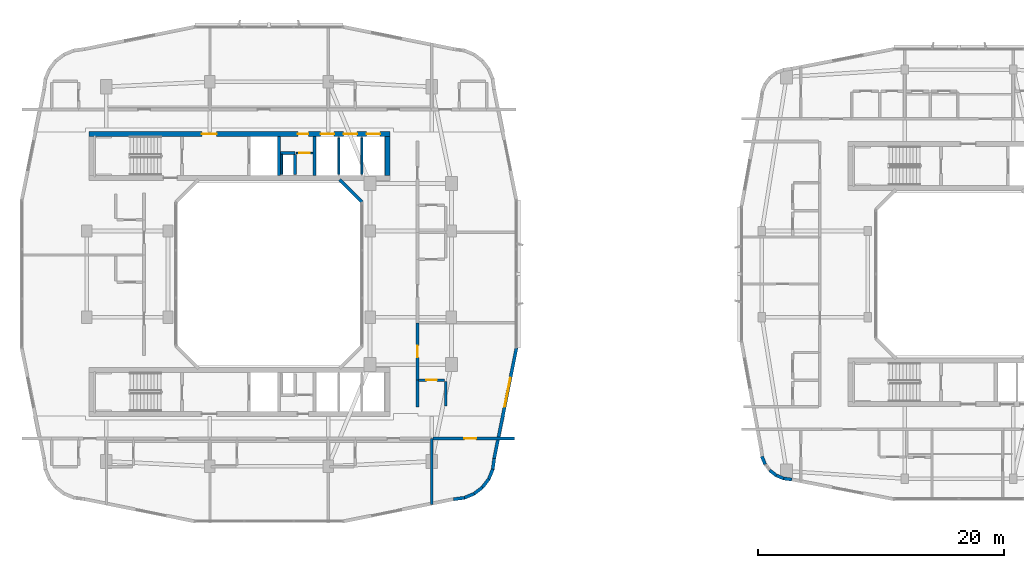
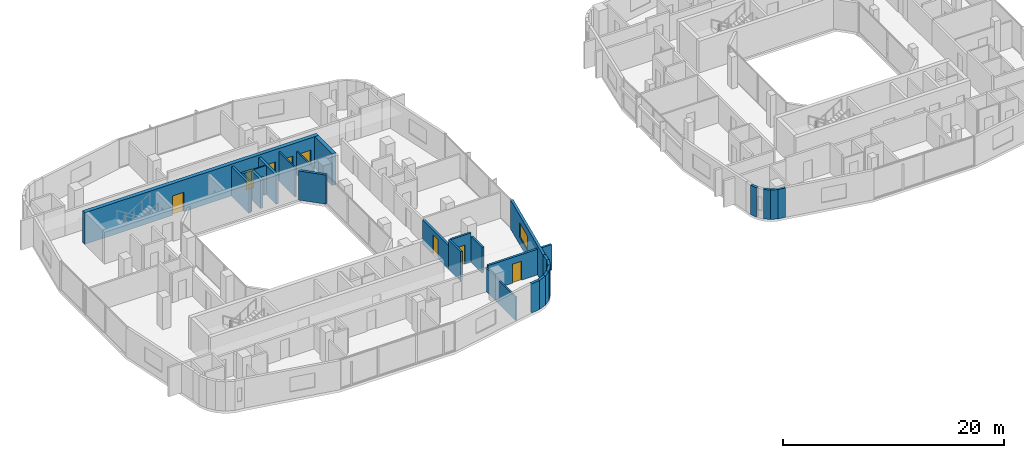
# One storey, part 14 of 26: 28 walls, 9 doors, 1 window, 10 openings.
"""IFC4 building model written with IfcOpenShell, lengths in metres."""

from ifc_helpers import new_model, si_unit, derived_unit, direction, frame, frame_2d, origin, place, context, subcontext, project, spatial, rectangle, extrude, material, layer, layer_set, type_object, element, fill, save


model = new_model("IFC4")

# Units and contexts
model_context = context("Model", 3, precision=1e-05, world=origin(), true_north=direction((0.0, 1.0)))
body_context = subcontext(model_context, "Body", "Model", "MODEL_VIEW")
ifc_project = project(units=[si_unit("LENGTHUNIT", "METRE"), si_unit("AREAUNIT", "SQUARE_METRE"), si_unit("VOLUMEUNIT", "CUBIC_METRE"), si_unit("PLANEANGLEUNIT", "RADIAN"), si_unit("MASSUNIT", "GRAM", prefix="KILO"), derived_unit("THERMALTRANSMITTANCEUNIT", [(si_unit("POWERUNIT", "WATT"), 1), (si_unit("LENGTHUNIT", "METRE"), -2), (si_unit("THERMODYNAMICTEMPERATUREUNIT", "KELVIN"), -1)])], contexts=[model_context])

# Site, building, storey
site_placement = place(None, origin())
site = spatial("IfcSite", under=ifc_project, at=site_placement, CompositionType="ELEMENT")
building_placement = place(site_placement, origin())
building = spatial("IfcBuilding", under=site, at=building_placement, Name="Kivonza Crest Hotel", CompositionType="ELEMENT")
storey_placement = place(building_placement, frame((0.0, 0.0, 102.0)))
storey = spatial("IfcBuildingStorey", under=building, at=storey_placement, Name="L27", CompositionType="ELEMENT", Elevation=102.0)

# Wall
ifc_material_1 = material(Name="High-density acoustic masonry inter-tenancy wall", Category="masonry")
ifc_layer_1 = layer(ifc_material_1, 0.179931640625)
ifc_layer_set_1 = layer_set([ifc_layer_1], Name="High-density acoustic masonry inter-tenancy wall")
wall_type_1 = type_object("IfcWallType", Name="WL-ACOU-180", PredefinedType="SOLIDWALL", material=ifc_layer_set_1)
wall_1_placement = place(storey_placement, frame((34.199951171875, 6.299072265625, 0.0), z_axis=(0.0, 0.0, 1.0), x_axis=(0.0, 1.0, 0.0)))
element("IfcWall", 1, at=wall_1_placement, inside=storey, type_object=wall_type_1, Name="L27 interior partition WA-L27-T1S-DIV4", PredefinedType="SOLIDWALL", context=body_context, shape_type="SweptSolid", body=[
    extrude(rectangle(XDim=5.350830078125, YDim=0.179931640625, at=frame_2d((2.67529296875, 0.0))), origin(), (0.0, 0.0, 1.0), 2.594970703125),
])

# Wall, opening, door
ifc_material_2 = material(Name="Autoclaved aerated concrete blockwork", Category="masonry")
ifc_layer_2 = layer(ifc_material_2, 0.219970703125)
ifc_layer_set_2 = layer_set([ifc_layer_2], Name="Autoclaved aerated concrete blockwork")
wall_type_2 = type_object("IfcWallType", Name="WL-ACOU-220", PredefinedType="SOLIDWALL", material=ifc_layer_set_2)
wall_2_placement = place(storey_placement, frame((34.300048828125, 11.64990234375, 0.0), z_axis=(0.0, 0.0, 1.0), x_axis=(1.0, 0.0, 0.0)))
wall_2 = element("IfcWall", 2, at=wall_2_placement, inside=storey, type_object=wall_type_2, Name="L27 interior partition WA-L27-BUS-MTG-N", PredefinedType="SOLIDWALL", context=body_context, shape_type="SweptSolid", body=[
    extrude(rectangle(XDim=6.639892578125, YDim=0.219970703125, at=frame_2d((3.31982421875, 0.0))), origin(), (0.0, 0.0, 1.0), 2.8349609375),
])
opening_1_placement = place(wall_2_placement, frame((2.550048828125, 0.0, 0.0)))
opening_1 = element("IfcOpeningElement", 3, at=opening_1_placement, cuts=wall_2, Name="Opening DF-60S", PredefinedType="OPENING", context=body_context, shape_type="SweptSolid", body=[
    extrude(rectangle(XDim=0.949951171875, YDim=2.10009765625, at=frame_2d((0.47509765625, 1.050048828125))), frame((0.0, 0.1201171875, 0.0), z_axis=(0.0, -1.0, 0.0), x_axis=(1.0, 0.0, 0.0)), (0.0, 0.0, 1.0), 0.239990234375),
])
ifc_material_3 = material(Name="Hardwood timber oak", Category="wood")
door_type_1 = type_object("IfcDoorType", Name="DR-FD60-950", OperationType="NOTDEFINED", PredefinedType="DOOR", material=ifc_material_3)
door_1_placement = place(opening_1_placement, frame((0.949951171875, 0.0, 0.0), z_axis=(0.0, 0.0, 1.0), x_axis=(-1.0, 0.0, 0.0)))
door_1 = element("IfcDoor", 4, at=door_1_placement, inside=storey, type_object=door_type_1, Name="L27 Floor Beverage Kitchen door", OperationType="SINGLE_SWING_RIGHT", OverallHeight=2.10009765625, OverallWidth=0.949951171875, PredefinedType="DOOR", context=body_context, shape_type="SweptSolid", body=[
    extrude(rectangle(XDim=0.949951171875, YDim=2.10009765625, at=frame_2d((0.47509765625, 1.050048828125))), frame((0.0, 0.02490234375, 0.0), z_axis=(0.0, -1.0, 0.0), x_axis=(1.0, 0.0, 0.0)), (0.0, 0.0, 1.0), 0.050048828125),
])
fill(opening_1, door_1)

# Wall
wall_3_placement = place(storey_placement, frame((33.050048828125, 14.199951171875, 0.0), z_axis=(0.0, 0.0, 1.0), x_axis=(0.0, 1.0, 0.0)))
element("IfcWall", 5, at=wall_3_placement, inside=storey, type_object=wall_type_2, Name="L27 interior partition WA-L27-E10-BCORR", PredefinedType="SOLIDWALL", context=body_context, shape_type="SweptSolid", body=[
    extrude(rectangle(XDim=2.199951171875, YDim=0.219970703125, at=frame_2d((1.10009765625, 0.0))), origin(), (0.0, 0.0, 1.0), 3.219970703125),
])

# Wall, opening, door
wall_4_placement = place(storey_placement, frame((33.050048828125, 16.39990234375, 0.0), z_axis=(0.0, 0.0, 1.0), x_axis=(0.0, 1.0, 0.0)))
wall_4 = element("IfcWall", 6, at=wall_4_placement, inside=storey, type_object=wall_type_2, Name="L27 interior partition WA-L27-E10-MCORR", PredefinedType="SOLIDWALL", context=body_context, shape_type="SweptSolid", body=[
    extrude(rectangle(XDim=4.649169921875, YDim=0.219970703125, at=frame_2d((2.32470703125, 0.0))), origin(), (0.0, 0.0, 1.0), 2.594970703125),
])
opening_2_placement = place(wall_4_placement, frame((1.85009765625, 0.0, 0.0)))
opening_2 = element("IfcOpeningElement", 7, at=opening_2_placement, cuts=wall_4, Name="Opening DU-60", PredefinedType="OPENING", context=body_context, shape_type="SweptSolid", body=[
    extrude(rectangle(XDim=0.949951171875, YDim=2.10009765625, at=frame_2d((0.47509765625, 1.050048828125))), frame((0.0, 0.1201171875, 0.0), z_axis=(0.0, -1.0, 0.0), x_axis=(1.0, 0.0, 0.0)), (0.0, 0.0, 1.0), 0.239990234375),
])
door_type_2 = type_object("IfcDoorType", Name="DR-UNIT-950", OperationType="NOTDEFINED", PredefinedType="DOOR", material=ifc_material_3)
door_2_placement = place(opening_2_placement, frame((0.949951171875, 0.0, 0.0), z_axis=(0.0, 0.0, 1.0), x_axis=(-1.0, 0.0, 0.0)))
door_2 = element("IfcDoor", 8, at=door_2_placement, inside=storey, type_object=door_type_2, Name="L27 E10 guest unit entrance fire door", OperationType="SINGLE_SWING_RIGHT", OverallHeight=2.10009765625, OverallWidth=0.949951171875, PredefinedType="DOOR", context=body_context, shape_type="SweptSolid", body=[
    extrude(rectangle(XDim=0.949951171875, YDim=2.10009765625, at=frame_2d((0.47509765625, 1.050048828125))), frame((0.0, 0.02490234375, 0.0), z_axis=(0.0, -1.0, 0.0), x_axis=(1.0, 0.0, 0.0)), (0.0, 0.0, 1.0), 0.050048828125),
])
fill(opening_2, door_2)

# Wall, openings, doors
ifc_material_4 = material(Name="Concrete C50/60", Category="concrete")
ifc_layer_3 = layer(ifc_material_4, 0.39990234375)
ifc_layer_set_3 = layer_set([ifc_layer_3], Name="Concrete C50/60")
wall_type_3 = type_object("IfcWallType", Name="WL-CORE-400", PredefinedType="SHEAR", material=ifc_layer_set_3)
wall_5_placement = place(storey_placement, frame((6.39990234375, 36.360107421875, 0.0), z_axis=(0.0, 0.0, 1.0), x_axis=(1.0, 0.0, 0.0)))
wall_5 = element("IfcWall", 9, at=wall_5_placement, inside=storey, type_object=wall_type_3, Name="Core wall T1-N North L27", PredefinedType="SHEAR", context=body_context, shape_type="SweptSolid", body=[
    extrude(rectangle(XDim=24.400146484375, YDim=0.39990234375, at=frame_2d((12.2001953125, 0.0))), origin(), (0.0, 0.0, 1.0), 3.5),
])
opening_3_placement = place(wall_5_placement, frame((9.14990234375, 0.0, 0.0)))
opening_3 = element("IfcOpeningElement", 10, at=opening_3_placement, cuts=wall_5, Name="Opening DF-60", PredefinedType="OPENING", context=body_context, shape_type="SweptSolid", body=[
    extrude(rectangle(XDim=1.199951171875, YDim=2.14990234375, at=frame_2d((0.60009765625, 1.074951171875))), frame((0.0, 0.2099609375, 0.0), z_axis=(0.0, -1.0, 0.0), x_axis=(1.0, 0.0, 0.0)), (0.0, 0.0, 1.0), 0.419921875),
])
opening_4_placement = place(wall_5_placement, frame((16.93994140625, 0.0, 0.0)))
opening_4 = element("IfcOpeningElement", 11, at=opening_4_placement, cuts=wall_5, Name="Opening DF-60R", PredefinedType="OPENING", context=body_context, shape_type="SweptSolid", body=[
    extrude(rectangle(XDim=0.85009765625, YDim=2.10009765625, at=frame_2d((0.425048828125, 1.050048828125))), frame((0.0, 0.2099609375, 0.0), z_axis=(0.0, -1.0, 0.0), x_axis=(1.0, 0.0, 0.0)), (0.0, 0.0, 1.0), 0.419921875),
])
opening_5_placement = place(wall_5_placement, frame((18.782958984375, 0.0, 0.0)))
opening_5 = element("IfcOpeningElement", 12, at=opening_5_placement, cuts=wall_5, Name="Opening LD-120", PredefinedType="OPENING", context=body_context, shape_type="SweptSolid", body=[
    extrude(rectangle(XDim=1.10009765625, YDim=2.14990234375, at=frame_2d((0.550048828125, 1.074951171875))), frame((0.0, 0.2099609375, 0.0), z_axis=(0.0, -1.0, 0.0), x_axis=(1.0, 0.0, 0.0)), (0.0, 0.0, 1.0), 0.419921875),
])
opening_6_placement = place(wall_5_placement, frame((20.64990234375, 0.0, 0.0)))
opening_6 = element("IfcOpeningElement", 13, at=opening_6_placement, cuts=wall_5, Name="Opening LD-120", PredefinedType="OPENING", context=body_context, shape_type="SweptSolid", body=[
    extrude(rectangle(XDim=1.10009765625, YDim=2.14990234375, at=frame_2d((0.550048828125, 1.074951171875))), frame((0.0, 0.2099609375, 0.0), z_axis=(0.0, -1.0, 0.0), x_axis=(1.0, 0.0, 0.0)), (0.0, 0.0, 1.0), 0.419921875),
])
opening_7_placement = place(wall_5_placement, frame((22.51708984375, 0.0, 0.0)))
opening_7 = element("IfcOpeningElement", 14, at=opening_7_placement, cuts=wall_5, Name="Opening LD-120", PredefinedType="OPENING", context=body_context, shape_type="SweptSolid", body=[
    extrude(rectangle(XDim=1.10009765625, YDim=2.14990234375, at=frame_2d((0.550048828125, 1.074951171875))), frame((0.0, 0.2099609375, 0.0), z_axis=(0.0, -1.0, 0.0), x_axis=(1.0, 0.0, 0.0)), (0.0, 0.0, 1.0), 0.419921875),
])
door_type_3 = type_object("IfcDoorType", Name="DR-FD60-1200", OperationType="NOTDEFINED", PredefinedType="DOOR", material=ifc_material_3)
door_3_placement = place(opening_3_placement, origin())
door_3 = element("IfcDoor", 15, at=door_3_placement, inside=storey, type_object=door_type_3, Name="L27 T1-N firefighting lobby fire door", OperationType="SINGLE_SWING_RIGHT", OverallHeight=2.14990234375, OverallWidth=1.199951171875, PredefinedType="DOOR", context=body_context, shape_type="SweptSolid", body=[
    extrude(rectangle(XDim=1.199951171875, YDim=2.14990234375, at=frame_2d((0.60009765625, 1.074951171875))), frame((0.0, 0.02490234375, 0.0), z_axis=(0.0, -1.0, 0.0), x_axis=(1.0, 0.0, 0.0)), (0.0, 0.0, 1.0), 0.050048828125),
])
fill(opening_3, door_3)
door_type_4 = type_object("IfcDoorType", Name="DR-FD60-850", OperationType="NOTDEFINED", PredefinedType="DOOR", material=ifc_material_3)
door_4_placement = place(opening_4_placement, origin())
door_4 = element("IfcDoor", 16, at=door_4_placement, inside=storey, type_object=door_type_4, Name="L27 T1-N core room door", OperationType="SINGLE_SWING_RIGHT", OverallHeight=2.10009765625, OverallWidth=0.85009765625, PredefinedType="DOOR", context=body_context, shape_type="SweptSolid", body=[
    extrude(rectangle(XDim=0.85009765625, YDim=2.10009765625, at=frame_2d((0.425048828125, 1.050048828125))), frame((0.0, 0.02490234375, 0.0), z_axis=(0.0, -1.0, 0.0), x_axis=(1.0, 0.0, 0.0)), (0.0, 0.0, 1.0), 0.050048828125),
])
fill(opening_4, door_4)
ifc_material_5 = material(Name="Stainless steel", Category="steel")
door_type_5 = type_object("IfcDoorType", Name="DR-LD120-1100", OperationType="NOTDEFINED", PredefinedType="DOOR", material=ifc_material_5)
door_5_placement = place(opening_5_placement, origin())
door_5 = element("IfcDoor", 17, at=door_5_placement, inside=storey, type_object=door_type_5, Name="L27 PL-T1-L1 passenger lift sliding landing door", OperationType="DOUBLE_DOOR_SLIDING", OverallHeight=2.14990234375, OverallWidth=1.10009765625, PredefinedType="DOOR", context=body_context, shape_type="SweptSolid", body=[
    extrude(rectangle(XDim=1.10009765625, YDim=2.14990234375, at=frame_2d((0.550048828125, 1.074951171875))), frame((0.0, 0.02490234375, 0.0), z_axis=(0.0, -1.0, 0.0), x_axis=(1.0, 0.0, 0.0)), (0.0, 0.0, 1.0), 0.050048828125),
])
fill(opening_5, door_5)
door_6_placement = place(opening_6_placement, origin())
door_6 = element("IfcDoor", 18, at=door_6_placement, inside=storey, type_object=door_type_5, Name="L27 PL-T1-L2 passenger lift sliding landing door", OperationType="DOUBLE_DOOR_SLIDING", OverallHeight=2.14990234375, OverallWidth=1.10009765625, PredefinedType="DOOR", context=body_context, shape_type="SweptSolid", body=[
    extrude(rectangle(XDim=1.10009765625, YDim=2.14990234375, at=frame_2d((0.550048828125, 1.074951171875))), frame((0.0, 0.02490234375, 0.0), z_axis=(0.0, -1.0, 0.0), x_axis=(1.0, 0.0, 0.0)), (0.0, 0.0, 1.0), 0.050048828125),
])
fill(opening_6, door_6)
door_7_placement = place(opening_7_placement, origin())
door_7 = element("IfcDoor", 19, at=door_7_placement, inside=storey, type_object=door_type_5, Name="L27 PL-T1-L3 passenger lift sliding landing door", OperationType="DOUBLE_DOOR_SLIDING", OverallHeight=2.14990234375, OverallWidth=1.10009765625, PredefinedType="DOOR", context=body_context, shape_type="SweptSolid", body=[
    extrude(rectangle(XDim=1.10009765625, YDim=2.14990234375, at=frame_2d((0.550048828125, 1.074951171875))), frame((0.0, 0.02490234375, 0.0), z_axis=(0.0, -1.0, 0.0), x_axis=(1.0, 0.0, 0.0)), (0.0, 0.0, 1.0), 0.050048828125),
])
fill(opening_7, door_7)

# Walls
wall_6_placement = place(storey_placement, frame((30.60009765625, 33.0, 0.0), z_axis=(0.0, 0.0, 1.0), x_axis=(0.0, 1.0, 0.0)))
element("IfcWall", 20, at=wall_6_placement, inside=storey, type_object=wall_type_3, Name="Core wall T1-N East L27", PredefinedType="SHEAR", context=body_context, shape_type="SweptSolid", body=[
    extrude(rectangle(XDim=3.159912109375, YDim=0.39990234375, at=frame_2d((1.580078125, 0.0))), origin(), (0.0, 0.0, 1.0), 3.5),
])
ifc_material_6 = material(Name="Precast concrete C40/50", Category="concrete")
ifc_layer_4 = layer(ifc_material_6, 0.260009765625)
ifc_layer_set_4 = layer_set([ifc_layer_4], Name="Precast concrete C40/50")
wall_type_4 = type_object("IfcWallType", Name="WL-EXT-260", PredefinedType="STANDARD", material=ifc_layer_set_4)
wall_7_placement = place(storey_placement, frame((35.97509765625, 6.72802734375, 0.0), z_axis=(0.0, 0.0, 1.0), x_axis=(0.991388484223, 0.130953706898, 0.0)))
element("IfcWall", 21, at=wall_7_placement, inside=storey, type_object=wall_type_4, Name="L27 T1 exterior insulated wall 10", PredefinedType="STANDARD", context=body_context, shape_type="SweptSolid", body=[
    extrude(rectangle(XDim=0.885498046875, YDim=0.260009765625, at=frame_2d((0.44287109375, 0.0))), origin(), (0.0, 0.0, 1.0), 3.219970703125),
])
wall_8_placement = place(storey_placement, frame((36.806884765625, 6.825927734375, 0.0), z_axis=(0.0, 0.0, 1.0), x_axis=(0.923627776508, 0.383290660547, 0.0)))
element("IfcWall", 22, at=wall_8_placement, inside=storey, type_object=wall_type_4, Name="L27 T1 exterior insulated wall 11", PredefinedType="STANDARD", context=body_context, shape_type="SweptSolid", body=[
    extrude(rectangle(XDim=0.9033203125, YDim=0.260009765625, at=frame_2d((0.45166015625, 0.0))), origin(), (0.0, 0.0, 1.0), 3.219970703125),
])
wall_9_placement = place(storey_placement, frame((37.60107421875, 7.14404296875, 0.0), z_axis=(0.0, 0.0, 1.0), x_axis=(0.793458244748, 0.608624690463, 0.0)))
element("IfcWall", 23, at=wall_9_placement, inside=storey, type_object=wall_type_4, Name="L27 T1 exterior insulated wall 12", PredefinedType="STANDARD", context=body_context, shape_type="SweptSolid", body=[
    extrude(rectangle(XDim=0.902099609375, YDim=0.260009765625, at=frame_2d((0.451171875, 0.0))), origin(), (0.0, 0.0, 1.0), 3.219970703125),
])
wall_10_placement = place(storey_placement, frame((38.285888671875, 7.655029296875, 0.0), z_axis=(0.0, 0.0, 1.0), x_axis=(0.608494022858, 0.793558456666, 0.0)))
element("IfcWall", 24, at=wall_10_placement, inside=storey, type_object=wall_type_4, Name="L27 T1 exterior insulated wall 13", PredefinedType="STANDARD", context=body_context, shape_type="SweptSolid", body=[
    extrude(rectangle(XDim=0.90234375, YDim=0.260009765625, at=frame_2d((0.451171875, 0.0))), origin(), (0.0, 0.0, 1.0), 3.219970703125),
])
wall_11_placement = place(storey_placement, frame((38.81396484375, 8.326904296875, 0.0), z_axis=(0.0, 0.0, 1.0), x_axis=(0.383155708213, 0.923683767999, 0.0)))
element("IfcWall", 25, at=wall_11_placement, inside=storey, type_object=wall_type_4, Name="L27 T1 exterior insulated wall 14", PredefinedType="STANDARD", context=body_context, shape_type="SweptSolid", body=[
    extrude(rectangle(XDim=0.90283203125, YDim=0.260009765625, at=frame_2d((0.451416015625, 0.0))), origin(), (0.0, 0.0, 1.0), 3.219970703125),
])
wall_12_placement = place(storey_placement, frame((39.152099609375, 9.112060546875, 0.0), z_axis=(0.0, 0.0, 1.0), x_axis=(0.130200706103, 0.991487658083, 0.0)))
element("IfcWall", 26, at=wall_12_placement, inside=storey, type_object=wall_type_4, Name="L27 T1 exterior insulated wall 15", PredefinedType="STANDARD", context=body_context, shape_type="SweptSolid", body=[
    extrude(rectangle(XDim=0.920654296875, YDim=0.260009765625, at=frame_2d((0.46044921875, 0.0))), origin(), (0.0, 0.0, 1.0), 3.219970703125),
])

# Wall, opening, window
wall_13_placement = place(storey_placement, frame((39.27099609375, 10.01806640625, 0.0), z_axis=(0.0, 0.0, 1.0), x_axis=(0.197435082048, 0.980315963543, 0.0)))
wall_13 = element("IfcWall", 27, at=wall_13_placement, inside=storey, type_object=wall_type_4, Name="L27 T1 exterior insulated wall 16", PredefinedType="STANDARD", context=body_context, shape_type="SweptSolid", body=[
    extrude(rectangle(XDim=9.1826171875, YDim=0.260009765625, at=frame_2d((4.59130859375, 0.0))), origin(), (0.0, 0.0, 1.0), 3.219970703125),
])
opening_8_placement = place(wall_13_placement, frame((4.285888671875, 0.0, 0.800048828125)))
opening_8 = element("IfcOpeningElement", 28, at=opening_8_placement, cuts=wall_13, Name="Opening WN-05", PredefinedType="OPENING", context=body_context, shape_type="SweptSolid", body=[
    extrude(rectangle(XDim=2.39990234375, YDim=1.60009765625, at=frame_2d((1.199951171875, 0.800048828125))), frame((0.0, 0.14013671875, 0.0), z_axis=(0.0, -1.0, 0.0), x_axis=(1.0, 0.0, 0.0)), (0.0, 0.0, 1.0), 0.280029296875),
])
ifc_material_7 = material(Name="Thermally broken bronze aluminium and low-E double glazing", Category="aluminium")
window_type = type_object("IfcWindowType", Name="WN-240x160", PartitioningType="TRIPLE_PANEL_VERTICAL", PredefinedType="WINDOW", material=ifc_material_7)
window_placement = place(opening_8_placement, origin())
window = element("IfcWindow", 29, at=window_placement, inside=storey, type_object=window_type, Name="L27 T1 facade window 16", OverallHeight=1.60009765625, OverallWidth=2.39990234375, PartitioningType="SINGLE_PANEL", PredefinedType="WINDOW", context=body_context, shape_type="SweptSolid", body=[
    extrude(rectangle(XDim=2.39990234375, YDim=1.60009765625, at=frame_2d((1.199951171875, 0.800048828125))), frame((0.0, 0.030029296875, 0.0), z_axis=(0.0, -1.0, 0.0), x_axis=(1.0, 0.0, 0.0)), (0.0, 0.0, 1.0), 0.06005859375),
])
fill(opening_8, window)

# Walls
wall_14_placement = place(storey_placement, frame((28.555908203125, 30.827880859375, 0.0), z_axis=(0.0, 0.0, 1.0), x_axis=(-0.707059717605, 0.707153841636, 0.0)))
element("IfcWall", 30, at=wall_14_placement, inside=storey, type_object=wall_type_4, Name="L27 T1 light-well exterior wall 4", PredefinedType="STANDARD", context=body_context, shape_type="SweptSolid", body=[
    extrude(rectangle(XDim=2.59375, YDim=0.260009765625, at=frame_2d((1.296875, 0.0))), origin(), (0.0, 0.0, 1.0), 3.219970703125),
])
wall_15_placement = place(storey_placement, frame((60.9990234375, 10.199951171875, 0.0), z_axis=(0.0, 0.0, 1.0), x_axis=(0.381988976935, -0.924166879681, 0.0)))
element("IfcWall", 31, at=wall_15_placement, inside=storey, type_object=wall_type_4, Name="L27 T2 exterior insulated wall 2", PredefinedType="STANDARD", context=body_context, shape_type="SweptSolid", body=[
    extrude(rectangle(XDim=0.693359375, YDim=0.260009765625, at=frame_2d((0.3466796875, 0.0))), origin(), (0.0, 0.0, 1.0), 3.25),
])
wall_16_placement = place(storey_placement, frame((61.62109375, 9.080078125, 0.0), z_axis=(0.0, 0.0, 1.0), x_axis=(0.792506234191, -0.609863811657, 0.0)))
element("IfcWall", 32, at=wall_16_placement, inside=storey, type_object=wall_type_4, Name="L27 T2 exterior insulated wall 4", PredefinedType="STANDARD", context=body_context, shape_type="SweptSolid", body=[
    extrude(rectangle(XDim=0.69384765625, YDim=0.260009765625, at=frame_2d((0.346923828125, 0.0))), origin(), (0.0, 0.0, 1.0), 3.25),
])
wall_17_placement = place(storey_placement, frame((62.126953125, 8.677978515625, 0.0), z_axis=(0.0, 0.0, 1.0), x_axis=(0.92421822618, -0.381864727877, 0.0)))
element("IfcWall", 33, at=wall_17_placement, inside=storey, type_object=wall_type_4, Name="L27 T2 exterior insulated wall 5", PredefinedType="STANDARD", context=body_context, shape_type="SweptSolid", body=[
    extrude(rectangle(XDim=0.693603515625, YDim=0.260009765625, at=frame_2d((0.3466796875, 0.0))), origin(), (0.0, 0.0, 1.0), 3.25),
])
wall_18_placement = place(storey_placement, frame((62.718994140625, 8.4208984375, 0.0), z_axis=(0.0, 0.0, 1.0), x_axis=(0.991433279471, -0.130614135366, 0.0)))
element("IfcWall", 34, at=wall_18_placement, inside=storey, type_object=wall_type_4, Name="L27 T2 exterior insulated wall 6", PredefinedType="STANDARD", context=body_context, shape_type="SweptSolid", body=[
    extrude(rectangle(XDim=0.712158203125, YDim=0.260009765625, at=frame_2d((0.35595703125, 0.0))), origin(), (0.0, 0.0, 1.0), 3.25),
])
ifc_material_8 = material(Name="Concrete blockwork fire-compartment wall", Category="masonry")
ifc_layer_5 = layer(ifc_material_8, 0.25)
ifc_layer_set_5 = layer_set([ifc_layer_5], Name="Concrete blockwork fire-compartment wall")
wall_type_5 = type_object("IfcWallType", Name="WL-FIRE-250", PredefinedType="SOLIDWALL", material=ifc_layer_set_5)
wall_19_placement = place(storey_placement, frame((23.10009765625, 33.10009765625, 0.0), z_axis=(0.0, 0.0, 1.0), x_axis=(0.0, 1.0, 0.0)))
element("IfcWall", 35, at=wall_19_placement, inside=storey, type_object=wall_type_5, Name="L27 interior partition WA-L27-T1-N-MEPR-E", PredefinedType="SOLIDWALL", context=body_context, shape_type="SweptSolid", body=[
    extrude(rectangle(XDim=1.619873046875, YDim=0.25, at=frame_2d((0.81005859375, 0.0))), origin(), (0.0, 0.0, 1.0), 3.219970703125),
])
wall_20_placement = place(storey_placement, frame((21.949951171875, 34.820068359375, 0.0), z_axis=(0.0, 0.0, 1.0), x_axis=(1.0, 0.0, 0.0)))
element("IfcWall", 36, at=wall_20_placement, inside=storey, type_object=wall_type_5, Name="L27 interior partition WA-L27-T1-N-MEPR-H", PredefinedType="SOLIDWALL", context=body_context, shape_type="SweptSolid", body=[
    extrude(rectangle(XDim=1.150146484375, YDim=0.25, at=frame_2d((0.5751953125, 0.0))), origin(), (0.0, 0.0, 1.0), 3.219970703125),
])

# Wall, opening, door
ifc_material_9 = material(Name="Metal-stud gypsum board partition", Category="gypsum")
ifc_layer_6 = layer(ifc_material_9, 0.125)
ifc_layer_set_6 = layer_set([ifc_layer_6], Name="Metal-stud gypsum board partition")
wall_type_6 = type_object("IfcWallType", Name="WL-PART-125", PredefinedType="PARTITIONING", material=ifc_layer_set_6)
wall_21_placement = place(storey_placement, frame((23.219970703125, 34.820068359375, 0.0), z_axis=(0.0, 0.0, 1.0), x_axis=(1.0, 0.0, 0.0)))
wall_21 = element("IfcWall", 37, at=wall_21_placement, inside=storey, type_object=wall_type_6, Name="L27 interior partition WP-L27-T1-N-SV3H", PredefinedType="PARTITIONING", context=body_context, shape_type="SweptSolid", body=[
    extrude(rectangle(XDim=1.330078125, YDim=0.125, at=frame_2d((0.6650390625, 0.0))), origin(), (0.0, 0.0, 1.0), 3.219970703125),
])
opening_9_placement = place(wall_21_placement, frame((0.239990234375, 0.0, 0.0)))
opening_9 = element("IfcOpeningElement", 38, at=opening_9_placement, cuts=wall_21, Name="Opening DI-85", PredefinedType="OPENING", context=body_context, shape_type="SweptSolid", body=[
    extrude(rectangle(XDim=0.85009765625, YDim=2.10009765625, at=frame_2d((0.425048828125, 1.050048828125))), frame((0.0, 0.072509765625, 0.0), z_axis=(0.0, -1.0, 0.0), x_axis=(1.0, 0.0, 0.0)), (0.0, 0.0, 1.0), 0.14501953125),
])
door_type_6 = type_object("IfcDoorType", Name="DR-INT-850", OperationType="NOTDEFINED", PredefinedType="DOOR", material=ifc_material_3)
door_8_placement = place(opening_9_placement, origin())
door_8 = element("IfcDoor", 39, at=door_8_placement, inside=storey, type_object=door_type_6, Name="L27 T1-N inner manifold door", OperationType="SINGLE_SWING_LEFT", OverallHeight=2.10009765625, OverallWidth=0.85009765625, PredefinedType="DOOR", context=body_context, shape_type="SweptSolid", body=[
    extrude(rectangle(XDim=0.85009765625, YDim=2.10009765625, at=frame_2d((0.425048828125, 1.050048828125))), frame((0.0, 0.02490234375, 0.0), z_axis=(0.0, -1.0, 0.0), x_axis=(1.0, 0.0, 0.0)), (0.0, 0.0, 1.0), 0.050048828125),
])
fill(opening_9, door_8)

# Walls
ifc_material_10 = material(Name="Twin-stud acoustic gypsum board partition", Category="gypsum")
ifc_layer_7 = layer(ifc_material_10, 0.14990234375)
ifc_layer_set_7 = layer_set([ifc_layer_7], Name="Twin-stud acoustic gypsum board partition")
wall_type_7 = type_object("IfcWallType", Name="WL-PART-150", PredefinedType="PARTITIONING", material=ifc_layer_set_7)
wall_22_placement = place(storey_placement, frame((22.030029296875, 33.10009765625, 0.0), z_axis=(0.0, 0.0, 1.0), x_axis=(0.0, 1.0, 0.0)))
element("IfcWall", 40, at=wall_22_placement, inside=storey, type_object=wall_type_7, Name="L27 interior partition WA-L27-T1-N-MEPR-W", PredefinedType="PARTITIONING", context=body_context, shape_type="SweptSolid", body=[
    extrude(rectangle(XDim=1.619873046875, YDim=0.14990234375, at=frame_2d((0.81005859375, 0.0))), origin(), (0.0, 0.0, 1.0), 3.219970703125),
])
wall_23_placement = place(storey_placement, frame((26.6669921875, 33.10009765625, 0.0), z_axis=(0.0, 0.0, 1.0), x_axis=(0.0, 1.0, 0.0)))
element("IfcWall", 41, at=wall_23_placement, inside=storey, type_object=wall_type_7, Name="L27 interior partition WP-L27-T1-N-BSH-1", PredefinedType="PARTITIONING", context=body_context, shape_type="SweptSolid", body=[
    extrude(rectangle(XDim=2.9599609375, YDim=0.14990234375, at=frame_2d((1.47998046875, 0.0))), origin(), (0.0, 0.0, 1.0), 3.219970703125),
])
wall_24_placement = place(storey_placement, frame((28.532958984375, 33.10009765625, 0.0), z_axis=(0.0, 0.0, 1.0), x_axis=(0.0, 1.0, 0.0)))
element("IfcWall", 42, at=wall_24_placement, inside=storey, type_object=wall_type_7, Name="L27 interior partition WP-L27-T1-N-BSH-2", PredefinedType="PARTITIONING", context=body_context, shape_type="SweptSolid", body=[
    extrude(rectangle(XDim=2.9599609375, YDim=0.14990234375, at=frame_2d((1.47998046875, 0.0))), origin(), (0.0, 0.0, 1.0), 2.594970703125),
])

# Wall, opening, door
ifc_material_11 = material(Name="Moisture-resistant plumbing chase partition wall", Category="gypsum")
ifc_layer_8 = layer(ifc_material_11, 0.199951171875)
ifc_layer_set_8 = layer_set([ifc_layer_8], Name="Moisture-resistant plumbing chase partition wall")
wall_type_8 = type_object("IfcWallType", Name="WL-PLUMB-200", PredefinedType="PLUMBINGWALL", material=ifc_layer_set_8)
wall_25_placement = place(storey_placement, frame((33.14990234375, 16.39990234375, 0.0), z_axis=(0.0, 0.0, 1.0), x_axis=(1.0, 0.0, 0.0)))
wall_25 = element("IfcWall", 43, at=wall_25_placement, inside=storey, type_object=wall_type_8, Name="L27 interior partition WW-L27-E10-BH", PredefinedType="PLUMBINGWALL", context=body_context, shape_type="SweptSolid", body=[
    extrude(rectangle(XDim=2.10009765625, YDim=0.199951171875, at=frame_2d((1.050048828125, 0.0))), origin(), (0.0, 0.0, 1.0), 3.219970703125),
])
opening_10_placement = place(wall_25_placement, frame((0.625, 0.0, 0.0)))
opening_10 = element("IfcOpeningElement", 44, at=opening_10_placement, cuts=wall_25, Name="Opening DI-85", PredefinedType="OPENING", context=body_context, shape_type="SweptSolid", body=[
    extrude(rectangle(XDim=0.85009765625, YDim=2.10009765625, at=frame_2d((0.425048828125, 1.050048828125))), frame((0.0, 0.10986328125, 0.0), z_axis=(0.0, -1.0, 0.0), x_axis=(1.0, 0.0, 0.0)), (0.0, 0.0, 1.0), 0.219970703125),
])
door_9_placement = place(opening_10_placement, origin())
door_9 = element("IfcDoor", 45, at=door_9_placement, inside=storey, type_object=door_type_6, Name="L27 E10 en-suite bathroom door", OperationType="SINGLE_SWING_LEFT", OverallHeight=2.10009765625, OverallWidth=0.85009765625, PredefinedType="DOOR", context=body_context, shape_type="SweptSolid", body=[
    extrude(rectangle(XDim=0.85009765625, YDim=2.10009765625, at=frame_2d((0.425048828125, 1.050048828125))), frame((0.0, 0.02490234375, 0.0), z_axis=(0.0, -1.0, 0.0), x_axis=(1.0, 0.0, 0.0)), (0.0, 0.0, 1.0), 0.050048828125),
])
fill(opening_10, door_9)

# Walls
wall_26_placement = place(storey_placement, frame((35.35009765625, 14.300048828125, 0.0), z_axis=(0.0, 0.0, 1.0), x_axis=(0.0, 1.0, 0.0)))
element("IfcWall", 46, at=wall_26_placement, inside=storey, type_object=wall_type_8, Name="L27 interior partition WW-L27-E10-BV", PredefinedType="PLUMBINGWALL", context=body_context, shape_type="SweptSolid", body=[
    extrude(rectangle(XDim=2.0, YDim=0.199951171875, at=frame_2d((1.0, 0.0))), origin(), (0.0, 0.0, 1.0), 2.8349609375),
])
ifc_layer_9 = layer(ifc_material_4, 0.25)
ifc_layer_set_9 = layer_set([ifc_layer_9], Name="Concrete C50/60")
wall_type_9 = type_object("IfcWallType", Name="WL-SHAFT-250", PredefinedType="STANDARD", material=ifc_layer_set_9)
for number, where, z_axis, x_axis, name in (
    (47, (21.824951171875, 33.0, 0.0), (0.0, 0.0, 1.0), (0.0, 1.0, 0.0), "Core shaft wall T1-N FFL-E L27"),
    (48, (24.675048828125, 33.0, 0.0), (0.0, 0.0, 1.0), (0.0, 1.0, 0.0), "Core shaft wall T1-N BANK-W L27"),
):
    element("IfcWall", number, at=place(storey_placement, frame(where, z_axis=z_axis, x_axis=x_axis)), inside=storey, type_object=wall_type_9, Name=name, PredefinedType="STANDARD", context=body_context, shape_type="SweptSolid", body=[
        extrude(rectangle(XDim=3.159912109375, YDim=0.25, at=frame_2d((1.580078125, 0.0))), origin(), (0.0, 0.0, 1.0), 3.219970703125),
    ])

save(model, "model.ifc")
